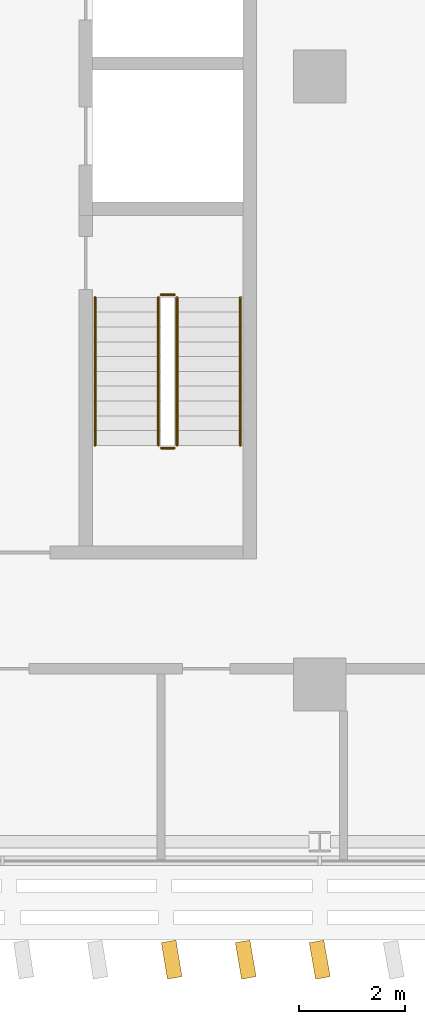
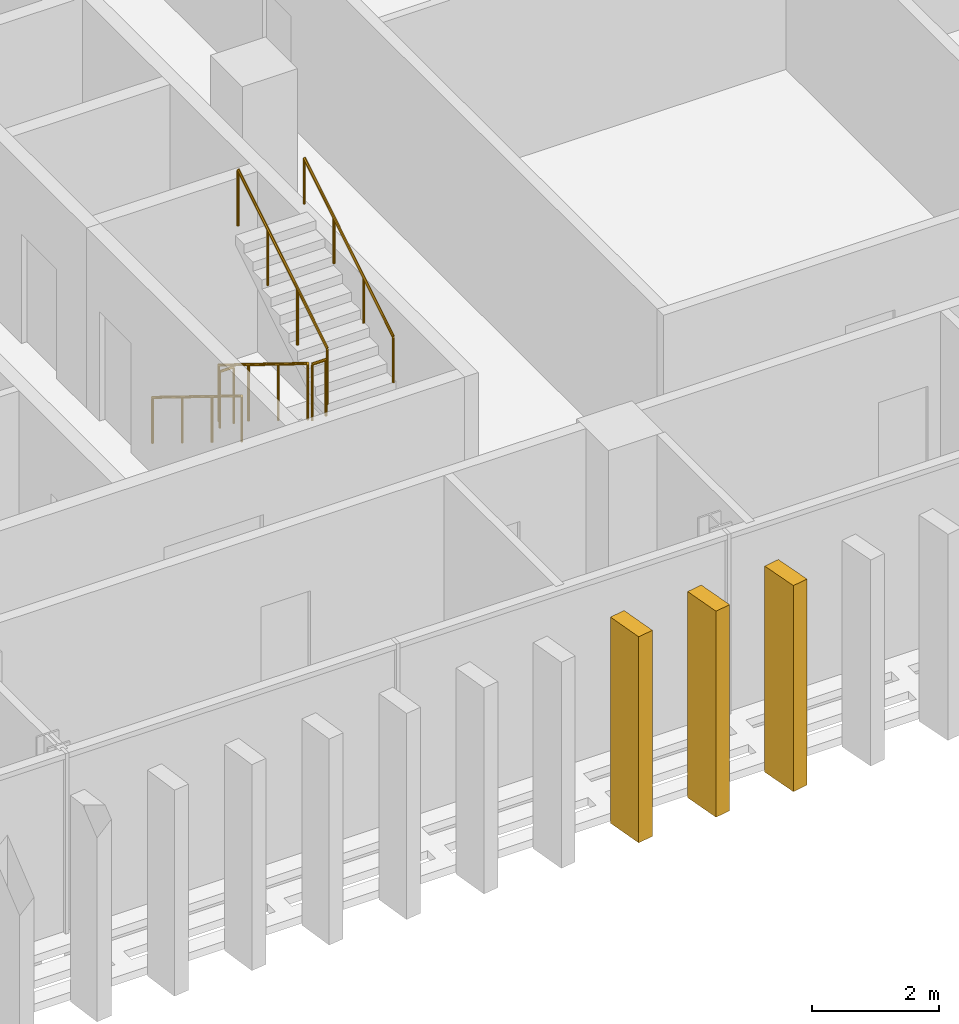
# One storey, part 29 of 35: 6 railings, 3 coverings.
"""IFC4 building model written with IfcOpenShell, lengths in metres."""

from ifc_helpers import new_model, si_unit, direction, frame, origin, origin_2d, place, context, subcontext, project, spatial, rectangle, circle, extrude, material, layer, layer_set, type_object, element, save


model = new_model("IFC4")

# Units and contexts
model_context = context("Model", 3, precision=1e-05, world=origin(), true_north=direction((0.0, 1.0)))
body_context = subcontext(model_context, "Body", "Model", "MODEL_VIEW")
ifc_project = project(units=[si_unit("LENGTHUNIT", "METRE"), si_unit("AREAUNIT", "SQUARE_METRE"), si_unit("VOLUMEUNIT", "CUBIC_METRE"), si_unit("PLANEANGLEUNIT", "RADIAN"), si_unit("MASSUNIT", "GRAM", prefix="KILO")], contexts=[model_context])

# Site, building, storey
site_placement = place(None, origin())
site = spatial("IfcSite", under=ifc_project, at=site_placement, CompositionType="ELEMENT")
building_placement = place(site_placement, origin())
building = spatial("IfcBuilding", under=site, at=building_placement, Name="Mahtab Terrace Research Tower", CompositionType="ELEMENT")
storey_placement = place(building_placement, frame((0.0, 0.0, 251.39990234375)))
storey = spatial("IfcBuildingStorey", under=building, at=storey_placement, Name="L61", CompositionType="ELEMENT", Elevation=251.39990234375)

# Railings
ifc_material_1 = material(Name="Stainless steel AISI 304", Category="steel")
railing_type_1 = type_object("IfcRailingType", Name="Stair guard 1100", PredefinedType="GUARDRAIL", material=ifc_material_1)
railing_1_placement = place(storey_placement, frame((2.949951171875, -4.175048828125, 0.1728515625)))
element("IfcRailing", 1, at=railing_1_placement, inside=storey, type_object=railing_type_1, Name="L61 ST2 stair guard 1", PredefinedType="GUARDRAIL", context=body_context, shape_type="SweptSolid", body=[
    extrude(circle(Radius=0.02392578125, at=origin_2d()), frame((0.0, 0.0, 1.076171875), z_axis=(0.0, -0.851089632645, 0.525020415988), x_axis=(1.0, 0.0, 0.0)), (0.0, 0.0, 1.0), 3.2900390625),
    extrude(circle(Radius=0.02099609375, at=origin_2d()), origin(), (0.0, 0.0, 1.0), 1.052001953125),
    extrude(circle(Radius=0.02099609375, at=origin_2d()), frame((0.0, -0.933349609375, 0.57568359375)), (0.0, 0.0, 1.0), 1.052001953125),
    extrude(circle(Radius=0.02099609375, at=origin_2d()), frame((0.0, -1.86669921875, 1.151611328125)), (0.0, 0.0, 1.0), 1.052001953125),
    extrude(circle(Radius=0.02099609375, at=origin_2d()), frame((0.0, -2.800048828125, 1.727294921875)), (0.0, 0.0, 1.0), 1.052001953125),
])
railing_2_placement = place(storey_placement, frame((3.0, -7.02490234375, 1.900146484375)))
element("IfcRailing", 2, at=railing_2_placement, inside=storey, type_object=railing_type_1, Name="L61 ST2 stair guard 2", PredefinedType="GUARDRAIL", context=body_context, shape_type="SweptSolid", body=[
    extrude(circle(Radius=0.02392578125, at=origin_2d()), frame((0.0, 0.0, 1.076171875), z_axis=(1.0, 0.0, 0.0), x_axis=(0.0, 1.0, 0.0)), (0.0, 0.0, 1.0), 0.25),
    extrude(circle(Radius=0.02099609375, at=origin_2d()), origin(), (0.0, 0.0, 1.0), 1.052001953125),
    extrude(circle(Radius=0.02099609375, at=origin_2d()), frame((0.25, 0.0, 0.0)), (0.0, 0.0, 1.0), 1.052001953125),
])
railing_3_placement = place(storey_placement, frame((3.300048828125, -6.97509765625, 2.07275390625)))
element("IfcRailing", 3, at=railing_3_placement, inside=storey, type_object=railing_type_1, Name="L61 ST2 stair guard 3", PredefinedType="GUARDRAIL", context=body_context, shape_type="SweptSolid", body=[
    extrude(circle(Radius=0.02392578125, at=origin_2d()), frame((0.0, 0.0, 1.076171875), z_axis=(0.0, 0.851089632645, 0.525020415988), x_axis=(-1.0, 0.0, 0.0)), (0.0, 0.0, 1.0), 3.2900390625),
    extrude(circle(Radius=0.02099609375, at=origin_2d()), origin(), (0.0, 0.0, 1.0), 1.052001953125),
    extrude(circle(Radius=0.02099609375, at=origin_2d()), frame((0.0, 0.933349609375, 0.57568359375)), (0.0, 0.0, 1.0), 1.052001953125),
    extrude(circle(Radius=0.02099609375, at=origin_2d()), frame((0.0, 1.86669921875, 1.151611328125)), (0.0, 0.0, 1.0), 1.052001953125),
    extrude(circle(Radius=0.02099609375, at=origin_2d()), frame((0.0, 2.800048828125, 1.727294921875)), (0.0, 0.0, 1.0), 1.052001953125),
])
railing_4_placement = place(storey_placement, frame((3.0, -4.125, 0.0)))
element("IfcRailing", 4, at=railing_4_placement, inside=storey, type_object=railing_type_1, Name="L61 ST2 stair guard 4", PredefinedType="GUARDRAIL", context=body_context, shape_type="SweptSolid", body=[
    extrude(circle(Radius=0.02392578125, at=origin_2d()), frame((0.0, 0.0, 1.076171875), z_axis=(1.0, 0.0, 0.0), x_axis=(0.0, 1.0, 0.0)), (0.0, 0.0, 1.0), 0.25),
    extrude(circle(Radius=0.02099609375, at=origin_2d()), origin(), (0.0, 0.0, 1.0), 1.052001953125),
    extrude(circle(Radius=0.02099609375, at=origin_2d()), frame((0.25, 0.0, 0.0)), (0.0, 0.0, 1.0), 1.052001953125),
])
railing_type_2 = type_object("IfcRailingType", Name="Stair handrail 900", PredefinedType="HANDRAIL", material=ifc_material_1)
railing_5_placement = place(storey_placement, frame((1.75, -4.175048828125, 0.1728515625)))
element("IfcRailing", 5, at=railing_5_placement, inside=storey, type_object=railing_type_2, Name="L61 ST2 stair handrail 1", PredefinedType="HANDRAIL", context=body_context, shape_type="SweptSolid", body=[
    extrude(circle(Radius=0.02392578125, at=origin_2d()), frame((0.0, 0.0, 0.8759765625), z_axis=(0.0, -0.851089632645, 0.525020415988), x_axis=(1.0, 0.0, 0.0)), (0.0, 0.0, 1.0), 3.2900390625),
    extrude(circle(Radius=0.02099609375, at=origin_2d()), origin(), (0.0, 0.0, 1.0), 0.851806640625),
    extrude(circle(Radius=0.02099609375, at=origin_2d()), frame((0.0, -0.933349609375, 0.57568359375)), (0.0, 0.0, 1.0), 0.851806640625),
    extrude(circle(Radius=0.02099609375, at=origin_2d()), frame((0.0, -1.86669921875, 1.151611328125)), (0.0, 0.0, 1.0), 0.851806640625),
    extrude(circle(Radius=0.02099609375, at=origin_2d()), frame((0.0, -2.800048828125, 1.727294921875)), (0.0, 0.0, 1.0), 0.851806640625),
])
railing_6_placement = place(storey_placement, frame((4.5, -6.97509765625, 2.07275390625)))
element("IfcRailing", 6, at=railing_6_placement, inside=storey, type_object=railing_type_2, Name="L61 ST2 stair handrail 2", PredefinedType="HANDRAIL", context=body_context, shape_type="SweptSolid", body=[
    extrude(circle(Radius=0.02392578125, at=origin_2d()), frame((0.0, 0.0, 0.8759765625), z_axis=(0.0, 0.851089632645, 0.525020415988), x_axis=(-1.0, 0.0, 0.0)), (0.0, 0.0, 1.0), 3.2900390625),
    extrude(circle(Radius=0.02099609375, at=origin_2d()), origin(), (0.0, 0.0, 1.0), 0.851806640625),
    extrude(circle(Radius=0.02099609375, at=origin_2d()), frame((0.0, 0.933349609375, 0.57568359375)), (0.0, 0.0, 1.0), 0.851806640625),
    extrude(circle(Radius=0.02099609375, at=origin_2d()), frame((0.0, 1.86669921875, 1.151611328125)), (0.0, 0.0, 1.0), 0.851806640625),
    extrude(circle(Radius=0.02099609375, at=origin_2d()), frame((0.0, 2.800048828125, 1.727294921875)), (0.0, 0.0, 1.0), 0.851806640625),
])

# Coverings
ifc_material_2 = material(Name="Bronze anodised aluminium", Category="aluminium")
ifc_layer = layer(ifc_material_2, 0.1201171875)
ifc_layer_set = layer_set([ifc_layer], Name="Vertical fin 700")
covering_type = type_object("IfcCoveringType", Name="Vertical fin 700", PredefinedType="CLADDING", material=ifc_layer_set)
for number, where, z_axis, x_axis, name in (
    (7, (3.199951171875, -16.7021484375, -0.14990234375), (0.0, 0.0, 1.0), (0.986761532114, 0.1621779231, 0.0), "Fin L61 S28"),
    (8, (4.60009765625, -16.70263671875, -0.14990234375), (0.0, 0.0, 1.0), (0.985801325417, 0.167915892057, 0.0), "Fin L61 S29"),
    (9, (6.0, -16.702880859375, -0.14990234375), (0.0, 0.0, 1.0), (0.984807753012, 0.173648177667, 0.0), "Fin L61 S30"),
):
    element("IfcCovering", number, at=place(storey_placement, frame(where, z_axis=z_axis, x_axis=x_axis)), inside=storey, type_object=covering_type, Name=name, PredefinedType="CLADDING", context=body_context, shape_type="SweptSolid", body=[
        extrude(rectangle(XDim=0.280029296875, YDim=0.699951171875, at=origin_2d()), origin(), (0.0, 0.0, 1.0), 3.949951171875),
    ])

save(model, "model.ifc")
